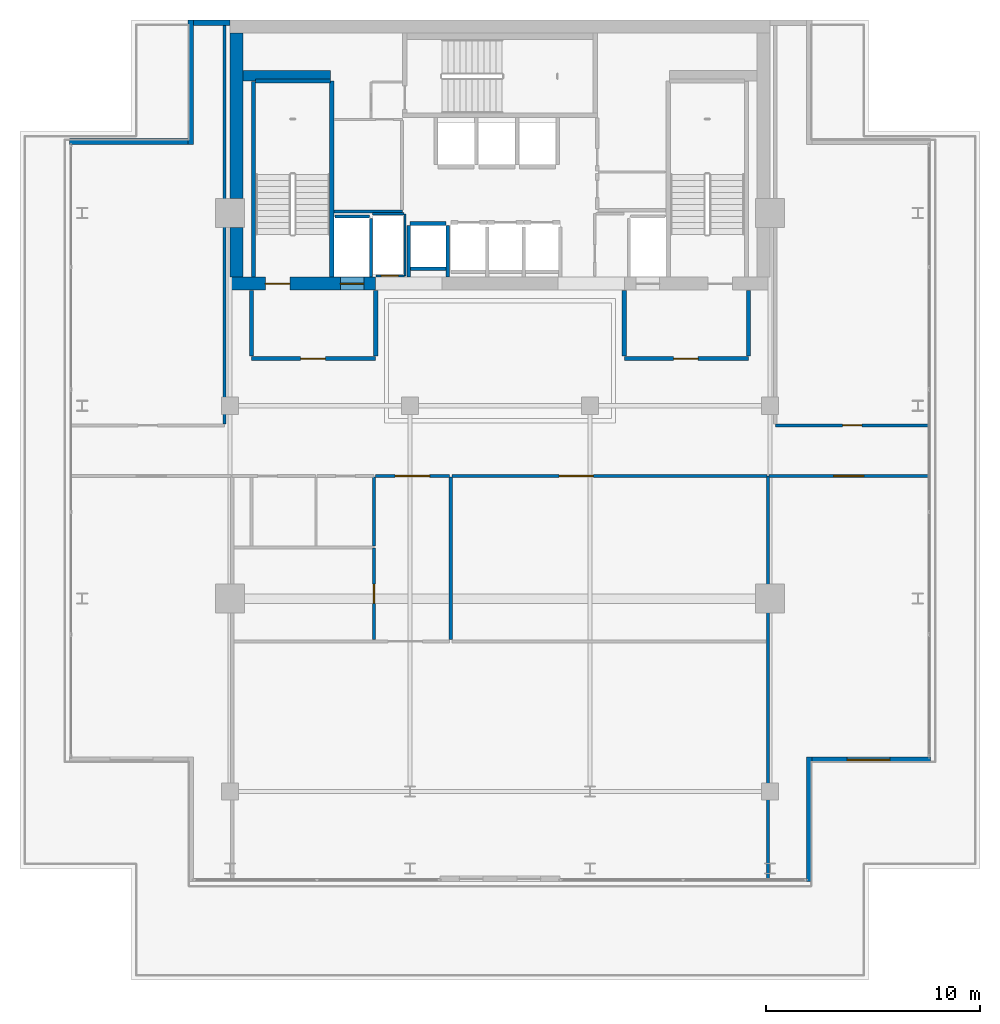
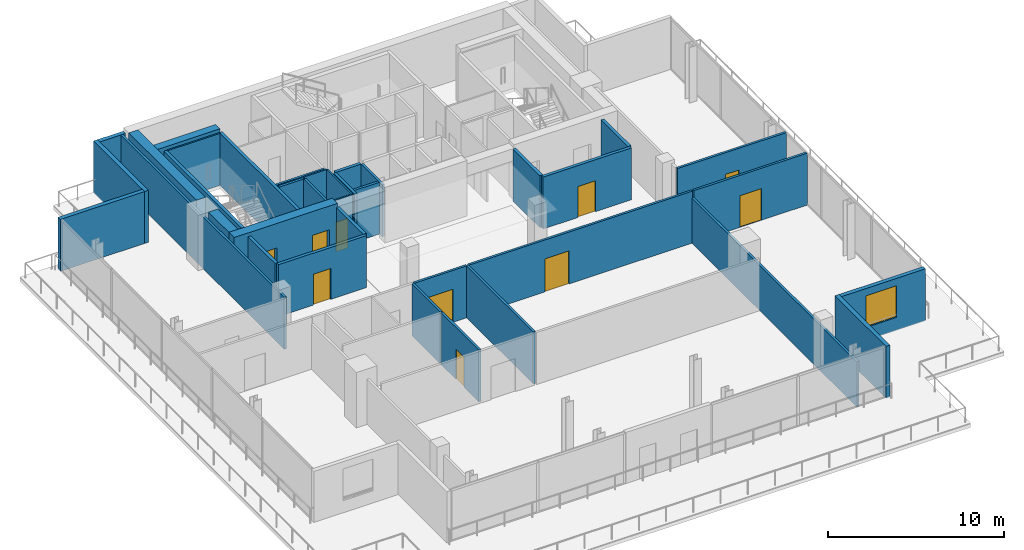
# One storey, part 16 of 21: 37 walls, 10 doors, 1 window, 11 openings.
"""IFC4 building model written with IfcOpenShell, lengths in metres."""

import ifcopenshell
import ifcopenshell.guid

model = None  # the IFC model being written
_history = None  # IfcOwnerHistory: only IFC2X3 demands one
_inside = {}  # id of a spatial element -> (the spatial element, [elements in it])
_under = {}  # id of a project, library or spatial element -> (it, [spatial elements below it])
_declared = {}  # id of a project -> (the project, [libraries it declares])
_typed = {}  # id of a type object -> (the type object, [elements of that type])
_made_of = {}  # id of a material, layer set ... -> (it, [elements and type objects made of it])


def new_model(schema):
    """Start an empty IFC model of exactly this schema.

    Asked for "IFC4X3", IfcOpenShell would pick the latest addendum, in which some entities
    have other attributes; the version numbers below select the first issue.
    IFC2X3 requires an IfcOwnerHistory on every rooted entity: one is made here for all.
    """
    global model, _history
    if schema == "IFC4X3":
        model = ifcopenshell.file(schema_version=(4, 3, 0, 0))
    else:
        model = ifcopenshell.file(schema=schema)
    _inside.clear()
    _under.clear()
    _declared.clear()
    _typed.clear()
    _made_of.clear()
    _history = None
    if model.schema == "IFC2X3":
        org = make("IfcOrganization", Name="unknown")
        user = make(
            "IfcPersonAndOrganization",
            ThePerson=make("IfcPerson", FamilyName="unknown"),
            TheOrganization=org,
        )
        app = make(
            "IfcApplication",
            ApplicationDeveloper=org,
            Version="unknown",
            ApplicationFullName="unknown",
            ApplicationIdentifier="unknown",
        )
        _history = make(
            "IfcOwnerHistory",
            OwningUser=user,
            OwningApplication=app,
            ChangeAction="ADDED",
            CreationDate=0,
        )
    return model


def make(cls, **values):
    """One entity of the class cls with the attributes given. An attribute that is None is left unset."""
    return model.create_entity(
        cls, **{name: value for name, value in values.items() if value is not None}
    )


def rooted(cls, **values):
    """An entity with a GlobalId (a new one), such as an element, a storey or a relation."""
    return make(cls, GlobalId=ifcopenshell.guid.new(), OwnerHistory=_history, **values)


def si_unit(unit_type, name, prefix=None):
    """IfcSIUnit, for example si_unit("LENGTHUNIT", "METRE", prefix="MILLI")."""
    return make("IfcSIUnit", UnitType=unit_type, Prefix=prefix, Name=name)


def assignment(units):
    """IfcUnitAssignment: the units of a project."""
    return None if units is None else make("IfcUnitAssignment", Units=units)


def point(xyz):
    """IfcCartesianPoint."""
    return None if xyz is None else make("IfcCartesianPoint", Coordinates=xyz)


def direction(xyz):
    """IfcDirection."""
    return None if xyz is None else make("IfcDirection", DirectionRatios=xyz)


def frame(location, z_axis=None, x_axis=None):
    """IfcAxis2Placement3D, a coordinate frame: its origin and axes. An axis left out is left unset."""
    return make(
        "IfcAxis2Placement3D",
        Location=point(location),
        Axis=direction(z_axis),
        RefDirection=direction(x_axis),
    )


def frame_2d(location, x_axis=None):
    """IfcAxis2Placement2D, a coordinate frame in the plane: its origin and x axis."""
    return make(
        "IfcAxis2Placement2D", Location=point(location), RefDirection=direction(x_axis)
    )


def origin():
    """The frame at (0, 0, 0) with its axes left unset."""
    return frame((0.0, 0.0, 0.0))


def place(relative_to, where):
    """IfcLocalPlacement: puts the frame where relative to a parent placement (None: the world)."""
    return make(
        "IfcLocalPlacement", PlacementRelTo=relative_to, RelativePlacement=where
    )


def context(
    kind, dimensions, precision=None, world=None, true_north=None, identifier=None
):
    """IfcGeometricRepresentationContext, for example the 3D "Model" context."""
    return make(
        "IfcGeometricRepresentationContext",
        ContextIdentifier=identifier,
        ContextType=kind,
        CoordinateSpaceDimension=dimensions,
        Precision=precision,
        WorldCoordinateSystem=world,
        TrueNorth=true_north,
    )


def subcontext(parent, identifier, kind, view, scale=None):
    """IfcGeometricRepresentationSubContext, for example "Body" below "Model"."""
    return make(
        "IfcGeometricRepresentationSubContext",
        ContextIdentifier=identifier,
        ContextType=kind,
        ParentContext=parent,
        TargetScale=scale,
        TargetView=view,
    )


def project(units=None, contexts=None):
    """IfcProject with its units and contexts."""
    return rooted(
        "IfcProject",
        Name="project",
        RepresentationContexts=contexts,
        UnitsInContext=assignment(units),
    )


def spatial(cls, under=None, at=None, **own):
    """A site, building, storey or space (cls), placed at a placement, below another one or the project."""
    s = rooted(cls, ObjectPlacement=at, **own)
    if under is not None:
        _under.setdefault(under.id(), (under, []))[1].append(s)
    return s


def profile(cls, at=None, kind="AREA", **sizes):
    """A parametric profile (cls). Its sizes go by their IFC names, for example OverallWidth=200.0."""
    return make(cls, ProfileType=kind, Position=at, **sizes)


def rectangle(**sizes):
    """IfcRectangleProfileDef."""
    return profile("IfcRectangleProfileDef", **sizes)


def extrude(swept, where, along, depth):
    """IfcExtrudedAreaSolid: the profile swept, set in the frame where, extruded along a direction by depth."""
    return make(
        "IfcExtrudedAreaSolid",
        SweptArea=swept,
        Position=where,
        ExtrudedDirection=direction(along),
        Depth=depth,
    )


def shape(context_of_items, identifier, shape_type, items):
    """IfcShapeRepresentation: the items that make up one representation, for example the "Body"."""
    return make(
        "IfcShapeRepresentation",
        ContextOfItems=context_of_items,
        RepresentationIdentifier=identifier,
        RepresentationType=shape_type,
        Items=items,
    )


def material(Name=None, Category=None):
    """IfcMaterial."""
    return make("IfcMaterial", Name=Name, Category=Category)


def layer(
    of_material, thickness, ventilated=None, Name=None, Category=None, Priority=None
):
    """IfcMaterialLayer: one layer of a wall or slab, of a material (None: an air gap)."""
    return make(
        "IfcMaterialLayer",
        Material=of_material,
        LayerThickness=thickness,
        IsVentilated=ventilated,
        Name=Name,
        Category=Category,
        Priority=Priority,
    )


def layer_set(layers, Name=None):
    """IfcMaterialLayerSet."""
    return make("IfcMaterialLayerSet", MaterialLayers=layers, LayerSetName=Name)


def made_of(thing, what):
    """Note that an element or type object is made of a material, layer set ...; save() writes the relation."""
    if what is not None:
        _made_of.setdefault(what.id(), (what, []))[1].append(thing)
    return thing


def type_object(cls, material=None, **own):
    """A type object (cls), such as IfcWallType, which elements share."""
    return made_of(rooted(cls, **own), material)


def element(
    cls,
    number,
    at=None,
    inside=None,
    cuts=None,
    type_object=None,
    material=None,
    context=None,
    identifier="Body",
    shape_type=None,
    held_by="IfcProductDefinitionShape",
    body=None,
    shapes=None,
    **own,
):
    """One element of the class cls, such as IfcWall. Its Tag is "e" and its number.

    at: its placement. inside: the storey or other place that contains it. cuts: it is an
    opening in that element (IfcRelVoidsElement). A single representation is given by context,
    identifier, shape_type and body (its items); several are given by shapes. held_by: the class
    of the entity that holds the representations. save() writes the other relations.
    """
    e = rooted(cls, Tag="e%d" % number, ObjectPlacement=at, **own)
    if body is not None:
        shapes = [shape(context, identifier, shape_type, body)]
    if shapes is not None:
        e.Representation = make(held_by, Representations=shapes)
    if inside is not None:
        _inside.setdefault(inside.id(), (inside, []))[1].append(e)
    if cuts is not None:
        rooted(
            "IfcRelVoidsElement", RelatingBuildingElement=cuts, RelatedOpeningElement=e
        )
    if type_object is not None:
        _typed.setdefault(type_object.id(), (type_object, []))[1].append(e)
    return made_of(e, material)


def fill(opening, filler):
    """IfcRelFillsElement: the door or window that sits in an opening."""
    return rooted(
        "IfcRelFillsElement",
        RelatingOpeningElement=opening,
        RelatedBuildingElement=filler,
    )


def aggregate(whole, parts):
    """IfcRelAggregates: a whole, such as a stair, and the parts it consists of."""
    return rooted("IfcRelAggregates", RelatingObject=whole, RelatedObjects=parts)


def save(model, path):
    """Write the relations noted so far, then the file.

    IfcRelAggregates (storeys below a building ...), IfcRelContainedInSpatialStructure (elements
    in a storey), IfcRelDefinesByType, IfcRelAssociatesMaterial and IfcRelDeclares: one each for
    every whole, place, type object, material and project.
    """
    for whole, parts in _under.values():
        aggregate(whole, parts)
    for where, things in _inside.values():
        rooted(
            "IfcRelContainedInSpatialStructure",
            RelatedElements=things,
            RelatingStructure=where,
        )
    for kind, things in _typed.values():
        rooted("IfcRelDefinesByType", RelatedObjects=things, RelatingType=kind)
    for what, things in _made_of.values():
        rooted("IfcRelAssociatesMaterial", RelatedObjects=things, RelatingMaterial=what)
    for by, libraries in _declared.values():
        rooted("IfcRelDeclares", RelatingContext=by, RelatedDefinitions=libraries)
    model.write(path)


model = new_model("IFC4")

# Units and contexts
model_context = context("Model", 3, precision=1e-05, world=origin(), true_north=direction((0.0, 1.0)))
body_context = subcontext(model_context, "Body", "Model", "MODEL_VIEW")
ifc_project = project(units=[si_unit("LENGTHUNIT", "METRE"), si_unit("AREAUNIT", "SQUARE_METRE"), si_unit("VOLUMEUNIT", "CUBIC_METRE"), si_unit("PLANEANGLEUNIT", "RADIAN"), si_unit("MASSUNIT", "GRAM", prefix="KILO")], contexts=[model_context])

# Site, building, storey
site_placement = place(None, origin())
site = spatial("IfcSite", under=ifc_project, at=site_placement, CompositionType="ELEMENT")
building_placement = place(site_placement, origin())
building = spatial("IfcBuilding", under=site, at=building_placement, Name="Maruvema Waterfront Hotel and Observation Tower", CompositionType="ELEMENT")
storey_placement = place(building_placement, frame((0.0, 0.0, 322.0)))
storey = spatial("IfcBuildingStorey", under=building, at=storey_placement, Name="L79", CompositionType="ELEMENT", Elevation=322.0)

# Walls
ifc_material_1 = material(Name="Twin-stud acoustic gypsum drywall", Category="gypsum")
ifc_layer_1 = layer(ifc_material_1, 0.14990234375, Name="Acoustic Corridor and Suite Demising Wall 150 mm")
ifc_layer_set_1 = layer_set([ifc_layer_1], Name="Twin-stud acoustic gypsum drywall")
wall_type_1 = type_object("IfcWallType", Name="Acoustic Corridor and Suite Demising Wall 150 mm", PredefinedType="PARTITIONING", material=ifc_layer_set_1)
wall_1_placement = place(storey_placement, frame((30.06005859375, 45.06005859375, 0.0), z_axis=(0.0, 0.0, 1.0), x_axis=(1.0, 0.0, 0.0)))
element("IfcWall", 1, at=wall_1_placement, inside=storey, type_object=wall_type_1, Name="L79 Freed B1 South Wall 012", PredefinedType="PARTITIONING", context=body_context, shape_type="SweptSolid", body=[
    extrude(rectangle(XDim=3.179931640625, YDim=0.14990234375, at=frame_2d((1.58984375, 0.0))), origin(), (0.0, 0.0, 1.0), 3.610107421875),
])
wall_2_placement = place(storey_placement, frame((31.919921875, 29.4599609375, 0.0), z_axis=(0.0, 0.0, 1.0), x_axis=(0.0, 1.0, 0.0)))
element("IfcWall", 2, at=wall_2_placement, inside=storey, type_object=wall_type_1, Name="L79 L79 WC East 026", PredefinedType="PARTITIONING", context=body_context, shape_type="SweptSolid", body=[
    extrude(rectangle(XDim=3.219970703125, YDim=0.14990234375, at=frame_2d((1.60986328125, 0.0))), origin(), (0.0, 0.0, 1.0), 3.610107421875),
])
wall_3_placement = place(storey_placement, frame((35.5, 25.080078125, 0.0), z_axis=(0.0, 0.0, 1.0), x_axis=(0.0, 1.0, 0.0)))
element("IfcWall", 3, at=wall_3_placement, inside=storey, type_object=wall_type_1, Name="L79 L79 Vestibule East Wall 029", PredefinedType="PARTITIONING", context=body_context, shape_type="SweptSolid", body=[
    extrude(rectangle(XDim=7.599853515625, YDim=0.14990234375, at=frame_2d((3.7998046875, 0.0))), origin(), (0.0, 0.0, 1.0), 3.610107421875),
])

# Wall, opening, door
wall_4_placement = place(storey_placement, frame((31.919921875, 25.080078125, 0.0), z_axis=(0.0, 0.0, 1.0), x_axis=(0.0, 1.0, 0.0)))
wall_4 = element("IfcWall", 4, at=wall_4_placement, inside=storey, type_object=wall_type_1, Name="L79 L79 Valet East Wall 030", PredefinedType="PARTITIONING", context=body_context, shape_type="SweptSolid", body=[
    extrude(rectangle(XDim=4.280029296875, YDim=0.14990234375, at=frame_2d((2.14013671875, 0.0))), origin(), (0.0, 0.0, 1.0), 3.610107421875),
])
opening_1_placement = place(wall_4_placement, frame((1.68994140625, 0.0, 0.0)))
opening_1 = element("IfcOpeningElement", 5, at=opening_1_placement, cuts=wall_4, Name="Opening DR-090", PredefinedType="OPENING", context=body_context, shape_type="SweptSolid", body=[
    extrude(rectangle(XDim=0.89990234375, YDim=2.10009765625, at=frame_2d((0.449951171875, 1.050048828125))), frame((0.0, 0.0849609375, 0.0), z_axis=(0.0, -1.0, 0.0), x_axis=(1.0, 0.0, 0.0)), (0.0, 0.0, 1.0), 0.169921875),
])
ifc_material_2 = material(Name="Solid-core lacquered timber leaf", Category="wood")
door_type_1 = type_object("IfcDoorType", Name="Accessible Toilet and Room Door 900x2100 mm", OperationType="NOTDEFINED", PredefinedType="DOOR", material=ifc_material_2)
door_1_placement = place(opening_1_placement, origin())
door_1 = element("IfcDoor", 6, at=door_1_placement, inside=storey, type_object=door_type_1, Name="L79 L79 Valet Room Door", OperationType="SINGLE_SWING_RIGHT", OverallHeight=2.10009765625, OverallWidth=0.89990234375, PredefinedType="DOOR", context=body_context, shape_type="SweptSolid", body=[
    extrude(rectangle(XDim=0.89990234375, YDim=2.10009765625, at=frame_2d((0.449951171875, 1.050048828125))), frame((0.0, 0.02490234375, 0.0), z_axis=(0.0, -1.0, 0.0), x_axis=(1.0, 0.0, 0.0)), (0.0, 0.0, 1.0), 0.050048828125),
])
fill(opening_1, door_1)

wall_5_placement = place(storey_placement, frame((31.97998046875, 32.719970703125, 0.0), z_axis=(0.0, 0.0, 1.0), x_axis=(1.0, 0.0, 0.0)))
wall_5 = element("IfcWall", 7, at=wall_5_placement, inside=storey, type_object=wall_type_1, Name="L79 L79 Vestibule North 031", PredefinedType="PARTITIONING", context=body_context, shape_type="SweptSolid", body=[
    extrude(rectangle(XDim=3.4599609375, YDim=0.14990234375, at=frame_2d((1.72998046875, 0.0))), origin(), (0.0, 0.0, 1.0), 3.610107421875),
])
opening_2_placement = place(wall_5_placement, frame((0.929931640625, 0.0, 0.0)))
opening_2 = element("IfcOpeningElement", 8, at=opening_2_placement, cuts=wall_5, Name="Opening DR-160", PredefinedType="OPENING", context=body_context, shape_type="SweptSolid", body=[
    extrude(rectangle(XDim=1.60009765625, YDim=2.300048828125, at=frame_2d((0.800048828125, 1.14990234375))), frame((0.0, 0.0849609375, 0.0), z_axis=(0.0, -1.0, 0.0), x_axis=(1.0, 0.0, 0.0)), (0.0, 0.0, 1.0), 0.169921875),
])
ifc_material_3 = material(Name="Acoustic veneered hardwood double leaf", Category="wood")
door_type_2 = type_object("IfcDoorType", Name="Ballroom and Lounge Double Door 1600x2300 mm", OperationType="DOUBLE_DOOR_SINGLE_SWING", PredefinedType="DOOR", material=ifc_material_3)
door_2_placement = place(opening_2_placement, origin())
door_2 = element("IfcDoor", 9, at=door_2_placement, inside=storey, type_object=door_type_2, Name="L79 L79 Sky Vestibule Door", OperationType="DOUBLE_DOOR_SINGLE_SWING", OverallHeight=2.300048828125, OverallWidth=1.60009765625, PredefinedType="DOOR", context=body_context, shape_type="SweptSolid", body=[
    extrude(rectangle(XDim=1.60009765625, YDim=2.300048828125, at=frame_2d((0.800048828125, 1.14990234375))), frame((0.0, 0.02490234375, 0.0), z_axis=(0.0, -1.0, 0.0), x_axis=(1.0, 0.0, 0.0)), (0.0, 0.0, 1.0), 0.050048828125),
])
fill(opening_2, door_2)

wall_6_placement = place(storey_placement, frame((35.56005859375, 32.719970703125, 0.0), z_axis=(0.0, 0.0, 1.0), x_axis=(1.0, 0.0, 0.0)))
wall_6 = element("IfcWall", 10, at=wall_6_placement, inside=storey, type_object=wall_type_1, Name="L79 L79 Concierge North 032", PredefinedType="PARTITIONING", context=body_context, shape_type="SweptSolid", body=[
    extrude(rectangle(XDim=14.68994140625, YDim=0.14990234375, at=frame_2d((7.344970703125, 0.0))), origin(), (0.0, 0.0, 1.0), 3.610107421875),
])
opening_3_placement = place(wall_6_placement, frame((5.0, 0.0, 0.0)))
opening_3 = element("IfcOpeningElement", 11, at=opening_3_placement, cuts=wall_6, Name="Opening DR-160", PredefinedType="OPENING", context=body_context, shape_type="SweptSolid", body=[
    extrude(rectangle(XDim=1.60009765625, YDim=2.300048828125, at=frame_2d((0.800048828125, 1.14990234375))), frame((0.0, 0.0849609375, 0.0), z_axis=(0.0, -1.0, 0.0), x_axis=(1.0, 0.0, 0.0)), (0.0, 0.0, 1.0), 0.169921875),
])
door_3_placement = place(opening_3_placement, origin())
door_3 = element("IfcDoor", 12, at=door_3_placement, inside=storey, type_object=door_type_2, Name="L79 L79 Concierge Door", OperationType="DOUBLE_DOOR_SINGLE_SWING", OverallHeight=2.300048828125, OverallWidth=1.60009765625, PredefinedType="DOOR", context=body_context, shape_type="SweptSolid", body=[
    extrude(rectangle(XDim=1.60009765625, YDim=2.300048828125, at=frame_2d((0.800048828125, 1.14990234375))), frame((0.0, 0.02490234375, 0.0), z_axis=(0.0, -1.0, 0.0), x_axis=(1.0, 0.0, 0.0)), (0.0, 0.0, 1.0), 0.050048828125),
])
fill(opening_3, door_3)

wall_7_placement = place(storey_placement, frame((50.35009765625, 32.719970703125, 0.0), z_axis=(0.0, 0.0, 1.0), x_axis=(1.0, 0.0, 0.0)))
wall_7 = element("IfcWall", 13, at=wall_7_placement, inside=storey, type_object=wall_type_1, Name="L79 L79 Club North 034", PredefinedType="PARTITIONING", context=body_context, shape_type="SweptSolid", body=[
    extrude(rectangle(XDim=7.469970703125, YDim=0.14990234375, at=frame_2d((3.73486328125, 0.0))), origin(), (0.0, 0.0, 1.0), 3.610107421875),
])
opening_4_placement = place(wall_7_placement, frame((3.034912109375, 0.0, 0.0)))
opening_4 = element("IfcOpeningElement", 14, at=opening_4_placement, cuts=wall_7, Name="Opening DR-140", PredefinedType="OPENING", context=body_context, shape_type="SweptSolid", body=[
    extrude(rectangle(XDim=1.39990234375, YDim=2.199951171875, at=frame_2d((0.699951171875, 1.10009765625))), frame((0.0, 0.0849609375, 0.0), z_axis=(0.0, -1.0, 0.0), x_axis=(1.0, 0.0, 0.0)), (0.0, 0.0, 1.0), 0.169921875),
])
ifc_material_4 = material(Name="Anodised bronze framed acoustic glass leaf", Category="glass")
door_type_3 = type_object("IfcDoorType", Name="Conference and Restaurant Double Door 1400x2200 mm", OperationType="DOUBLE_DOOR_SINGLE_SWING", PredefinedType="DOOR", material=ifc_material_4)
door_4_placement = place(opening_4_placement, origin())
door_4 = element("IfcDoor", 15, at=door_4_placement, inside=storey, type_object=door_type_3, Name="L79 L79 Club Lounge Door", OperationType="DOUBLE_DOOR_SINGLE_SWING", OverallHeight=2.199951171875, OverallWidth=1.39990234375, PredefinedType="DOOR", context=body_context, shape_type="SweptSolid", body=[
    extrude(rectangle(XDim=1.39990234375, YDim=2.199951171875, at=frame_2d((0.699951171875, 1.10009765625))), frame((0.0, 0.02490234375, 0.0), z_axis=(0.0, -1.0, 0.0), x_axis=(1.0, 0.0, 0.0)), (0.0, 0.0, 1.0), 0.050048828125),
])
fill(opening_4, door_4)

# Walls
wall_8_placement = place(storey_placement, frame((50.300048828125, 13.8798828125, 0.0), z_axis=(0.0, 0.0, 1.0), x_axis=(0.0, 1.0, 0.0)))
element("IfcWall", 16, at=wall_8_placement, inside=storey, type_object=wall_type_1, Name="L79 L79 East Spine 036", PredefinedType="PARTITIONING", context=body_context, shape_type="SweptSolid", body=[
    extrude(rectangle(XDim=18.840087890625, YDim=0.14990234375, at=frame_2d((9.419921875, 0.0))), origin(), (0.0, 0.0, 1.0), 3.14111328125),
])
wall_9_placement = place(storey_placement, frame((24.949951171875, 35.139892578125, 0.0), z_axis=(0.0, 0.0, 1.0), x_axis=(0.0, 1.0, 0.0)))
element("IfcWall", 17, at=wall_9_placement, inside=storey, type_object=wall_type_1, Name="L79 L79 VIP East 038", PredefinedType="PARTITIONING", context=body_context, shape_type="SweptSolid", body=[
    extrude(rectangle(XDim=18.780029296875, YDim=0.14990234375, at=frame_2d((9.39013671875, 0.0))), origin(), (0.0, 0.0, 1.0), 3.610107421875),
])

# Wall, opening, door
wall_10_placement = place(storey_placement, frame((50.64990234375, 35.080078125, 0.0), z_axis=(0.0, 0.0, 1.0), x_axis=(1.0, 0.0, 0.0)))
wall_10 = element("IfcWall", 18, at=wall_10_placement, inside=storey, type_object=wall_type_1, Name="L79 L79 Pastry Wall 039", PredefinedType="PARTITIONING", context=body_context, shape_type="SweptSolid", body=[
    extrude(rectangle(XDim=7.170166015625, YDim=0.14990234375, at=frame_2d((3.5849609375, 0.0))), origin(), (0.0, 0.0, 1.0), 3.610107421875),
])
opening_5_placement = place(wall_10_placement, frame((3.135009765625, 0.0, 0.0)))
opening_5 = element("IfcOpeningElement", 19, at=opening_5_placement, cuts=wall_10, Name="Opening DR-090", PredefinedType="OPENING", context=body_context, shape_type="SweptSolid", body=[
    extrude(rectangle(XDim=0.89990234375, YDim=2.10009765625, at=frame_2d((0.449951171875, 1.050048828125))), frame((0.0, 0.0849609375, 0.0), z_axis=(0.0, -1.0, 0.0), x_axis=(1.0, 0.0, 0.0)), (0.0, 0.0, 1.0), 0.169921875),
])
door_5_placement = place(opening_5_placement, frame((0.89990234375, 0.0, 0.0), z_axis=(0.0, 0.0, 1.0), x_axis=(-1.0, 0.0, 0.0)))
door_5 = element("IfcDoor", 20, at=door_5_placement, inside=storey, type_object=door_type_1, Name="L79 Pastry Kitchen Door", OperationType="SINGLE_SWING_RIGHT", OverallHeight=2.10009765625, OverallWidth=0.89990234375, PredefinedType="DOOR", context=body_context, shape_type="SweptSolid", body=[
    extrude(rectangle(XDim=0.89990234375, YDim=2.10009765625, at=frame_2d((0.449951171875, 1.050048828125))), frame((0.0, 0.02490234375, 0.0), z_axis=(0.0, -1.0, 0.0), x_axis=(1.0, 0.0, 0.0)), (0.0, 0.0, 1.0), 0.050048828125),
])
fill(opening_5, door_5)

# Walls
ifc_material_5 = material(Name="Precast concrete C45/55", Category="concrete")
ifc_layer_2 = layer(ifc_material_5, 0.199951171875, Name="Core Shaft and Stairwell Enclosure Wall 200 mm")
ifc_layer_set_2 = layer_set([ifc_layer_2], Name="Precast concrete C45/55")
wall_type_2 = type_object("IfcWallType", Name="Core Shaft and Stairwell Enclosure Wall 200 mm", PredefinedType="SOLIDWALL", material=ifc_layer_set_2)
wall_11_placement = place(storey_placement, frame((29.949951171875, 42.0, 0.0), z_axis=(0.0, 0.0, 1.0), x_axis=(0.0, 1.0, 0.0)))
element("IfcWall", 21, at=wall_11_placement, inside=storey, type_object=wall_type_2, Name="L79 Stairwell ST-01 East Shaft Wall", PredefinedType="SOLIDWALL", context=body_context, shape_type="SweptSolid", body=[
    extrude(rectangle(XDim=9.14990234375, YDim=0.199951171875, at=frame_2d((4.574951171875, 0.0))), origin(), (0.0, 0.0, 1.0), 3.610107421875),
])
wall_12_placement = place(storey_placement, frame((26.300048828125, 42.0, 0.0), z_axis=(0.0, 0.0, 1.0), x_axis=(0.0, 1.0, 0.0)))
element("IfcWall", 22, at=wall_12_placement, inside=storey, type_object=wall_type_2, Name="L79 Stairwell ST-01 Shaft Lining Wall", PredefinedType="SOLIDWALL", context=body_context, shape_type="SweptSolid", body=[
    extrude(rectangle(XDim=9.1201171875, YDim=0.199951171875, at=frame_2d((4.56005859375, 0.0))), origin(), (0.0, 0.0, 1.0), 3.610107421875),
])
wall_13_placement = place(storey_placement, frame((26.3798828125, 51.14990234375, 0.0), z_axis=(0.0, 0.0, 1.0), x_axis=(1.0, 0.0, 0.0)))
element("IfcWall", 23, at=wall_13_placement, inside=storey, type_object=wall_type_2, Name="L79 Stairwell ST-01 Shaft Lining Wall", PredefinedType="SOLIDWALL", context=body_context, shape_type="SweptSolid", body=[
    extrude(rectangle(XDim=3.5, YDim=0.199951171875, at=frame_2d((1.75, 0.0))), origin(), (0.0, 0.0, 1.0), 3.610107421875),
])
wall_14_placement = place(storey_placement, frame((33.610107421875, 44.5, 0.0), z_axis=(0.0, 0.0, 1.0), x_axis=(1.0, 0.0, 0.0)))
element("IfcWall", 24, at=wall_14_placement, inside=storey, type_object=wall_type_2, Name="L79 Lift LF-15 Hoistway Front Wall", PredefinedType="SOLIDWALL", context=body_context, shape_type="SweptSolid", body=[
    extrude(rectangle(XDim=1.679931640625, YDim=0.199951171875, at=frame_2d((0.83984375, 0.0))), origin(), (0.0, 0.0, 1.0), 3.610107421875),
])
ifc_material_6 = material(Name="Concrete C70/85", Category="concrete")
ifc_layer_3 = layer(ifc_material_6, 0.5, Name="Core Shear Wall 500 mm")
ifc_layer_set_3 = layer_set([ifc_layer_3], Name="Concrete C70/85")
wall_type_3 = type_object("IfcWallType", Name="Core Shear Wall 500 mm", PredefinedType="SHEAR", material=ifc_layer_set_3)
wall_15_placement = place(storey_placement, frame((25.800048828125, 51.39990234375, 0.0), z_axis=(0.0, 0.0, 1.0), x_axis=(1.0, 0.0, 0.0)))
element("IfcWall", 25, at=wall_15_placement, inside=storey, type_object=wall_type_3, Name="L79 Internal Core Shear Wall NW 500 mm", PredefinedType="SHEAR", context=body_context, shape_type="SweptSolid", body=[
    extrude(rectangle(XDim=4.099853515625, YDim=0.5, at=frame_2d((2.0498046875, 0.0))), origin(), (0.0, 0.0, 1.0), 3.85009765625),
])

# Wall, openings, doors
ifc_material_7 = material(Name="Concrete C60/75", Category="concrete")
ifc_layer_4 = layer(ifc_material_7, 0.60009765625, Name="Core Shear Wall 600 mm")
ifc_layer_set_4 = layer_set([ifc_layer_4], Name="Concrete C60/75")
wall_type_4 = type_object("IfcWallType", Name="Core Shear Wall 600 mm", PredefinedType="SHEAR", material=ifc_layer_set_4)
wall_16_placement = place(storey_placement, frame((25.199951171875, 41.699951171875, 0.0), z_axis=(0.0, 0.0, 1.0), x_axis=(1.0, 0.0, 0.0)))
wall_16 = element("IfcWall", 26, at=wall_16_placement, inside=storey, type_object=wall_type_4, Name="L79 South-West Core Shear Wall", PredefinedType="SHEAR", context=body_context, shape_type="SweptSolid", body=[
    extrude(rectangle(XDim=6.800048828125, YDim=0.60009765625, at=frame_2d((3.39990234375, 0.0))), origin(), (0.0, 0.0, 1.0), 3.85009765625),
])
opening_6_placement = place(wall_16_placement, frame((1.64990234375, 0.0, 0.0)))
opening_6 = element("IfcOpeningElement", 27, at=opening_6_placement, cuts=wall_16, Name="Opening SD-01", PredefinedType="OPENING", context=body_context, shape_type="SweptSolid", body=[
    extrude(rectangle(XDim=1.14990234375, YDim=2.14990234375, at=frame_2d((0.574951171875, 1.074951171875))), frame((0.0, 0.31005859375, 0.0), z_axis=(0.0, -1.0, 0.0), x_axis=(1.0, 0.0, 0.0)), (0.0, 0.0, 1.0), 0.6201171875),
])
opening_7_placement = place(wall_16_placement, frame((5.14990234375, 0.0, 0.0)))
opening_7 = element("IfcOpeningElement", 28, at=opening_7_placement, cuts=wall_16, Name="Opening LD-03", PredefinedType="OPENING", context=body_context, shape_type="SweptSolid", body=[
    extrude(rectangle(XDim=1.10009765625, YDim=2.199951171875, at=frame_2d((0.550048828125, 1.10009765625))), frame((0.0, 0.31005859375, 0.0), z_axis=(0.0, -1.0, 0.0), x_axis=(1.0, 0.0, 0.0)), (0.0, 0.0, 1.0), 0.6201171875),
])
ifc_material_8 = material(Name="Fire-rated galvanised steel leaf", Category="steel")
door_type_4 = type_object("IfcDoorType", Name="Exit Stair Fire Door 1150x2150 mm", OperationType="NOTDEFINED", PredefinedType="DOOR", material=ifc_material_8)
door_6_placement = place(opening_6_placement, origin())
door_6 = element("IfcDoor", 29, at=door_6_placement, inside=storey, type_object=door_type_4, Name="L79 Exit Stair ST-01 Fire Door", OperationType="SINGLE_SWING_LEFT", OverallHeight=2.14990234375, OverallWidth=1.14990234375, PredefinedType="DOOR", context=body_context, shape_type="SweptSolid", body=[
    extrude(rectangle(XDim=1.14990234375, YDim=2.14990234375, at=frame_2d((0.574951171875, 1.074951171875))), frame((0.0, 0.02490234375, 0.0), z_axis=(0.0, -1.0, 0.0), x_axis=(1.0, 0.0, 0.0)), (0.0, 0.0, 1.0), 0.050048828125),
])
fill(opening_6, door_6)
ifc_material_9 = material(Name="Brushed stainless steel Grade 316", Category="steel")
door_type_5 = type_object("IfcDoorType", Name="Firefighting Lift Sliding Landing Door 1100x2200 mm", OperationType="SLIDING_TO_LEFT", PredefinedType="DOOR", material=ifc_material_9)
door_7_placement = place(opening_7_placement, frame((1.10009765625, 0.0, 0.0), z_axis=(0.0, 0.0, 1.0), x_axis=(-1.0, 0.0, 0.0)))
door_7 = element("IfcDoor", 30, at=door_7_placement, inside=storey, type_object=door_type_5, Name="L79 Firefighting Lift FL-01 Landing Door", OperationType="SLIDING_TO_LEFT", OverallHeight=2.199951171875, OverallWidth=1.10009765625, PredefinedType="DOOR", context=body_context, shape_type="SweptSolid", body=[
    extrude(rectangle(XDim=1.10009765625, YDim=2.199951171875, at=frame_2d((0.550048828125, 1.10009765625))), frame((0.0, 0.02490234375, 0.0), z_axis=(0.0, -1.0, 0.0), x_axis=(1.0, 0.0, 0.0)), (0.0, 0.0, 1.0), 0.050048828125),
])
fill(opening_7, door_7)

# Walls
wall_17_placement = place(storey_placement, frame((25.5, 42.0, 0.0), z_axis=(0.0, 0.0, 1.0), x_axis=(0.0, 1.0, 0.0)))
element("IfcWall", 31, at=wall_17_placement, inside=storey, type_object=wall_type_4, Name="L79 West-South Core Shear Wall", PredefinedType="SHEAR", context=body_context, shape_type="SweptSolid", body=[
    extrude(rectangle(XDim=2.324951171875, YDim=0.60009765625, at=frame_2d((1.16259765625, 0.0))), origin(), (0.0, 0.0, 1.0), 3.85009765625),
])
wall_18_placement = place(storey_placement, frame((25.5, 45.675048828125, 0.0), z_axis=(0.0, 0.0, 1.0), x_axis=(0.0, 1.0, 0.0)))
element("IfcWall", 32, at=wall_18_placement, inside=storey, type_object=wall_type_4, Name="L79 West-North Core Shear Wall", PredefinedType="SHEAR", context=body_context, shape_type="SweptSolid", body=[
    extrude(rectangle(XDim=7.724853515625, YDim=0.60009765625, at=frame_2d((3.8623046875, 0.0))), origin(), (0.0, 0.0, 1.0), 3.85009765625),
])

# Wall, opening, door
ifc_material_10 = material(Name="Moisture-resistant cement-board drywall", Category="gypsum")
ifc_layer_5 = layer(ifc_material_10, 0.10009765625, Name="En-Suite Moisture-Resistant Partition 100 mm")
ifc_layer_set_5 = layer_set([ifc_layer_5], Name="Moisture-resistant cement-board drywall")
wall_type_5 = type_object("IfcWallType", Name="En-Suite Moisture-Resistant Partition 100 mm", PredefinedType="PARTITIONING", material=ifc_layer_set_5)
wall_19_placement = place(storey_placement, frame((32.02001953125, 42.06005859375, 0.0), z_axis=(0.0, 0.0, 1.0), x_axis=(1.0, 0.0, 0.0)))
wall_19 = element("IfcWall", 33, at=wall_19_placement, inside=storey, type_object=wall_type_5, Name="L79 Telecom Riser South Wall 007", PredefinedType="PARTITIONING", context=body_context, shape_type="SweptSolid", body=[
    extrude(rectangle(XDim=1.320068359375, YDim=0.10009765625, at=frame_2d((0.66015625, 0.0))), origin(), (0.0, 0.0, 1.0), 3.610107421875),
])
opening_8_placement = place(wall_19_placement, frame((0.239990234375, 0.0, 0.0)))
opening_8 = element("IfcOpeningElement", 34, at=opening_8_placement, cuts=wall_19, Name="Opening DR-080", PredefinedType="OPENING", context=body_context, shape_type="SweptSolid", body=[
    extrude(rectangle(XDim=0.800048828125, YDim=2.050048828125, at=frame_2d((0.39990234375, 1.02490234375))), frame((0.0, 0.06005859375, 0.0), z_axis=(0.0, -1.0, 0.0), x_axis=(1.0, 0.0, 0.0)), (0.0, 0.0, 1.0), 0.1201171875),
])
ifc_material_11 = material(Name="Powder-coated steel access leaf", Category="steel")
door_type_6 = type_object("IfcDoorType", Name="Riser and Service Cupboard Door 800x2050 mm", OperationType="NOTDEFINED", PredefinedType="DOOR", material=ifc_material_11)
door_8_placement = place(opening_8_placement, frame((0.800048828125, 0.0, 0.0), z_axis=(0.0, 0.0, 1.0), x_axis=(-1.0, 0.0, 0.0)))
door_8 = element("IfcDoor", 35, at=door_8_placement, inside=storey, type_object=door_type_6, Name="L79 Telecom Riser Door", OperationType="SINGLE_SWING_RIGHT", OverallHeight=2.050048828125, OverallWidth=0.800048828125, PredefinedType="DOOR", context=body_context, shape_type="SweptSolid", body=[
    extrude(rectangle(XDim=0.800048828125, YDim=2.050048828125, at=frame_2d((0.39990234375, 1.02490234375))), frame((0.0, 0.02490234375, 0.0), z_axis=(0.0, -1.0, 0.0), x_axis=(1.0, 0.0, 0.0)), (0.0, 0.0, 1.0), 0.050048828125),
])
fill(opening_8, door_8)

# Walls
wall_20_placement = place(storey_placement, frame((31.840087890625, 44.9599609375, 0.0), z_axis=(0.0, 0.0, 1.0), x_axis=(1.0, 0.0, 0.0)))
element("IfcWall", 36, at=wall_20_placement, inside=storey, type_object=wall_type_5, Name="L79 Telecom Riser North Wall 008", PredefinedType="PARTITIONING", context=body_context, shape_type="SweptSolid", body=[
    extrude(rectangle(XDim=1.47998046875, YDim=0.10009765625, at=frame_2d((0.739990234375, 0.0))), origin(), (0.0, 0.0, 1.0), 3.610107421875),
])
wall_21_placement = place(storey_placement, frame((33.360107421875, 42.06005859375, 0.0), z_axis=(0.0, 0.0, 1.0), x_axis=(0.0, 1.0, 0.0)))
element("IfcWall", 37, at=wall_21_placement, inside=storey, type_object=wall_type_5, Name="L79 Telecom Riser East Wall 009", PredefinedType="PARTITIONING", context=body_context, shape_type="SweptSolid", body=[
    extrude(rectangle(XDim=2.8798828125, YDim=0.10009765625, at=frame_2d((1.43994140625, 0.0))), origin(), (0.0, 0.0, 1.0), 3.610107421875),
])
ifc_material_12 = material(Name="Precast concrete C45/55 with honed Pernambuco granite facing", Category="masonry")
ifc_layer_6 = layer(ifc_material_12, 0.260009765625, Name="Exterior Granite Clad Spandrel and Pier Wall 260 mm")
ifc_layer_set_6 = layer_set([ifc_layer_6], Name="Precast concrete C45/55 with honed Pernambuco granite facing")
wall_type_6 = type_object("IfcWallType", Name="Exterior Granite Clad Spandrel and Pier Wall 260 mm", PredefinedType="SOLIDWALL", material=ifc_layer_set_6)
wall_22_placement = place(storey_placement, frame((52.22998046875, 19.60009765625, 0.0), z_axis=(0.0, 0.0, 1.0), x_axis=(0.0, -1.0, 0.0)))
element("IfcWall", 38, at=wall_22_placement, inside=storey, type_object=wall_type_6, Name="L79 Corner Notch Granite Pier Wall SE1", PredefinedType="SOLIDWALL", context=body_context, shape_type="SweptSolid", body=[
    extrude(rectangle(XDim=5.800048828125, YDim=0.260009765625, at=frame_2d((2.89990234375, 0.0))), origin(), (0.0, 0.0, 1.0), 3.610107421875),
])

# Wall, opening, window
wall_23_placement = place(storey_placement, frame((57.89990234375, 19.469970703125, 0.0), z_axis=(0.0, 0.0, 1.0), x_axis=(-1.0, 0.0, 0.0)))
wall_23 = element("IfcWall", 39, at=wall_23_placement, inside=storey, type_object=wall_type_6, Name="L79 Corner Notch Granite Pier Wall SE2", PredefinedType="SOLIDWALL", context=body_context, shape_type="SweptSolid", body=[
    extrude(rectangle(XDim=5.7998046875, YDim=0.260009765625, at=frame_2d((2.89990234375, 0.0))), origin(), (0.0, 0.0, 1.0), 3.610107421875),
])
opening_9_placement = place(wall_23_placement, frame((1.89990234375, 0.0, 0.89990234375)))
opening_9 = element("IfcOpeningElement", 40, at=opening_9_placement, cuts=wall_23, Name="Opening WN-03", PredefinedType="OPENING", context=body_context, shape_type="SweptSolid", body=[
    extrude(rectangle(XDim=2.0, YDim=2.199951171875, at=frame_2d((1.0, 1.10009765625))), frame((0.0, 0.14013671875, 0.0), z_axis=(0.0, -1.0, 0.0), x_axis=(1.0, 0.0, 0.0)), (0.0, 0.0, 1.0), 0.280029296875),
])
ifc_material_13 = material(Name="Anodised bronze aluminium frame with laminated low-E glass", Category="aluminium")
window_type = type_object("IfcWindowType", Name="Sky Suite Panoramic Notch Window 2000x2200 mm", PartitioningType="SINGLE_PANEL", PredefinedType="WINDOW", material=ifc_material_13)
window_placement = place(opening_9_placement, origin())
window = element("IfcWindow", 41, at=window_placement, inside=storey, type_object=window_type, Name="L79 Corner Notch Punched Window SE2", OverallHeight=2.199951171875, OverallWidth=2.0, PartitioningType="SINGLE_PANEL", PredefinedType="WINDOW", context=body_context, shape_type="SweptSolid", body=[
    extrude(rectangle(XDim=2.0, YDim=2.199951171875, at=frame_2d((1.0, 1.10009765625))), frame((0.0, 0.030029296875, 0.0), z_axis=(0.0, -1.0, 0.0), x_axis=(1.0, 0.0, 0.0)), (0.0, 0.0, 1.0), 0.06005859375),
])
fill(opening_9, window)

# Walls
for number, where, z_axis, x_axis, name in (
    (42, (23.3701171875, 48.199951171875, 0.0), (0.0, 0.0, 1.0), (0.0, 1.0, 0.0), "L79 Corner Notch Granite Pier Wall NW1"),
    (43, (17.699951171875, 48.330078125, 0.0), (0.0, 0.0, 1.0), (1.0, 0.0, 0.0), "L79 Corner Notch Granite Pier Wall NW2"),
):
    element("IfcWall", number, at=place(storey_placement, frame(where, z_axis=z_axis, x_axis=x_axis)), inside=storey, type_object=wall_type_6, Name=name, PredefinedType="SOLIDWALL", context=body_context, shape_type="SweptSolid", body=[
        extrude(rectangle(XDim=5.800048828125, YDim=0.260009765625, at=frame_2d((2.89990234375, 0.0))), origin(), (0.0, 0.0, 1.0), 3.610107421875),
    ])
wall_24_placement = place(storey_placement, frame((25.199951171875, 53.8701171875, 0.0), z_axis=(0.0, 0.0, 1.0), x_axis=(-1.0, 0.0, 0.0)))
element("IfcWall", 44, at=wall_24_placement, inside=storey, type_object=wall_type_6, Name="L79 North-West Core Flanking Pier Wall", PredefinedType="SOLIDWALL", context=body_context, shape_type="SweptSolid", body=[
    extrude(rectangle(XDim=1.699951171875, YDim=0.260009765625, at=frame_2d((0.85009765625, 0.0))), origin(), (0.0, 0.0, 1.0), 3.610107421875),
])

# Wall, opening, door
ifc_material_14 = material(Name="Autoclaved cellular concrete blockwork", Category="masonry")
ifc_layer_7 = layer(ifc_material_14, 0.199951171875, Name="Fire Compartment Masonry Wall 200 mm")
ifc_layer_set_7 = layer_set([ifc_layer_7], Name="Autoclaved cellular concrete blockwork")
wall_type_7 = type_object("IfcWallType", Name="Fire Compartment Masonry Wall 200 mm", PredefinedType="PARTITIONING", material=ifc_layer_set_7)
wall_25_placement = place(storey_placement, frame((26.199951171875, 38.199951171875, 0.0), z_axis=(0.0, 0.0, 1.0), x_axis=(1.0, 0.0, 0.0)))
wall_25 = element("IfcWall", 45, at=wall_25_placement, inside=storey, type_object=wall_type_7, Name="L79 FFL West South Wall 001", PredefinedType="PARTITIONING", context=body_context, shape_type="SweptSolid", body=[
    extrude(rectangle(XDim=5.800048828125, YDim=0.199951171875, at=frame_2d((2.89990234375, 0.0))), origin(), (0.0, 0.0, 1.0), 3.610107421875),
])
opening_10_placement = place(wall_25_placement, frame((2.300048828125, 0.0, 0.0)))
opening_10 = element("IfcOpeningElement", 46, at=opening_10_placement, cuts=wall_25, Name="Opening FD-115", PredefinedType="OPENING", context=body_context, shape_type="SweptSolid", body=[
    extrude(rectangle(XDim=1.14990234375, YDim=2.14990234375, at=frame_2d((0.574951171875, 1.074951171875))), frame((0.0, 0.10986328125, 0.0), z_axis=(0.0, -1.0, 0.0), x_axis=(1.0, 0.0, 0.0)), (0.0, 0.0, 1.0), 0.219970703125),
])
ifc_material_15 = material(Name="Fire-rated galvanised steel and vision glass", Category="steel")
door_type_7 = type_object("IfcDoorType", Name="Firefighting Lobby Fire Door 1150x2150 mm", OperationType="NOTDEFINED", PredefinedType="DOOR", material=ifc_material_15)
door_9_placement = place(opening_10_placement, frame((1.14990234375, 0.0, 0.0), z_axis=(0.0, 0.0, 1.0), x_axis=(-1.0, 0.0, 0.0)))
door_9 = element("IfcDoor", 47, at=door_9_placement, inside=storey, type_object=door_type_7, Name="L79 Firefighting Lobby West Door", OperationType="SINGLE_SWING_RIGHT", OverallHeight=2.14990234375, OverallWidth=1.14990234375, PredefinedType="DOOR", context=body_context, shape_type="SweptSolid", body=[
    extrude(rectangle(XDim=1.14990234375, YDim=2.14990234375, at=frame_2d((0.574951171875, 1.074951171875))), frame((0.0, 0.02490234375, 0.0), z_axis=(0.0, -1.0, 0.0), x_axis=(1.0, 0.0, 0.0)), (0.0, 0.0, 1.0), 0.050048828125),
])
fill(opening_10, door_9)

# Walls
for number, where, z_axis, x_axis, name in (
    (48, (26.199951171875, 38.31005859375, 0.0), (0.0, 0.0, 1.0), (0.0, 1.0, 0.0), "L79 FFL West West Wall 002"),
    (49, (32.0, 38.31005859375, 0.0), (0.0, 0.0, 1.0), (0.0, 1.0, 0.0), "L79 FFL West East Wall 003"),
):
    element("IfcWall", number, at=place(storey_placement, frame(where, z_axis=z_axis, x_axis=x_axis)), inside=storey, type_object=wall_type_7, Name=name, PredefinedType="PARTITIONING", context=body_context, shape_type="SweptSolid", body=[
        extrude(rectangle(XDim=3.06982421875, YDim=0.199951171875, at=frame_2d((1.534912109375, 0.0))), origin(), (0.0, 0.0, 1.0), 3.610107421875),
    ])

# Wall, opening, door
wall_26_placement = place(storey_placement, frame((43.60009765625, 38.199951171875, 0.0), z_axis=(0.0, 0.0, 1.0), x_axis=(1.0, 0.0, 0.0)))
wall_26 = element("IfcWall", 50, at=wall_26_placement, inside=storey, type_object=wall_type_7, Name="L79 FFL East South Wall 004", PredefinedType="PARTITIONING", context=body_context, shape_type="SweptSolid", body=[
    extrude(rectangle(XDim=5.7998046875, YDim=0.199951171875, at=frame_2d((2.89990234375, 0.0))), origin(), (0.0, 0.0, 1.0), 3.610107421875),
])
opening_11_placement = place(wall_26_placement, frame((2.300048828125, 0.0, 0.0)))
opening_11 = element("IfcOpeningElement", 51, at=opening_11_placement, cuts=wall_26, Name="Opening FD-115", PredefinedType="OPENING", context=body_context, shape_type="SweptSolid", body=[
    extrude(rectangle(XDim=1.14990234375, YDim=2.14990234375, at=frame_2d((0.574951171875, 1.074951171875))), frame((0.0, 0.10986328125, 0.0), z_axis=(0.0, -1.0, 0.0), x_axis=(1.0, 0.0, 0.0)), (0.0, 0.0, 1.0), 0.219970703125),
])
door_10_placement = place(opening_11_placement, frame((1.14990234375, 0.0, 0.0), z_axis=(0.0, 0.0, 1.0), x_axis=(-1.0, 0.0, 0.0)))
door_10 = element("IfcDoor", 52, at=door_10_placement, inside=storey, type_object=door_type_7, Name="L79 Firefighting Lobby East Door", OperationType="SINGLE_SWING_LEFT", OverallHeight=2.14990234375, OverallWidth=1.14990234375, PredefinedType="DOOR", context=body_context, shape_type="SweptSolid", body=[
    extrude(rectangle(XDim=1.14990234375, YDim=2.14990234375, at=frame_2d((0.574951171875, 1.074951171875))), frame((0.0, 0.02490234375, 0.0), z_axis=(0.0, -1.0, 0.0), x_axis=(1.0, 0.0, 0.0)), (0.0, 0.0, 1.0), 0.050048828125),
])
fill(opening_11, door_10)

# Walls
for number, where, z_axis, x_axis, name in (
    (53, (43.60009765625, 38.31005859375, 0.0), (0.0, 0.0, 1.0), (0.0, 1.0, 0.0), "L79 FFL East West Wall 005"),
    (54, (49.39990234375, 38.31005859375, 0.0), (0.0, 0.0, 1.0), (0.0, 1.0, 0.0), "L79 FFL East East Wall 006"),
):
    element("IfcWall", number, at=place(storey_placement, frame(where, z_axis=z_axis, x_axis=x_axis)), inside=storey, type_object=wall_type_7, Name=name, PredefinedType="PARTITIONING", context=body_context, shape_type="SweptSolid", body=[
        extrude(rectangle(XDim=3.06982421875, YDim=0.199951171875, at=frame_2d((1.534912109375, 0.0))), origin(), (0.0, 0.0, 1.0), 3.610107421875),
    ])
ifc_material_16 = material(Name="Precast concrete C45/55", Category="concrete")
ifc_layer_8 = layer(ifc_material_16, 0.159912109375, Name="Lift Hoistway Divider Wall 160 mm")
ifc_layer_set_8 = layer_set([ifc_layer_8], Name="Precast concrete C45/55")
wall_type_8 = type_object("IfcWallType", Name="Lift Hoistway Divider Wall 160 mm", PredefinedType="SOLIDWALL", material=ifc_layer_set_8)
wall_27_placement = place(storey_placement, frame((30.10009765625, 44.830078125, 0.0), z_axis=(0.0, 0.0, 1.0), x_axis=(1.0, 0.0, 0.0)))
element("IfcWall", 55, at=wall_27_placement, inside=storey, type_object=wall_type_8, Name="L79 Lift FL-01 Rear Hoistway Wall", PredefinedType="SOLIDWALL", context=body_context, shape_type="SweptSolid", body=[
    extrude(rectangle(XDim=1.599853515625, YDim=0.159912109375, at=frame_2d((0.7998046875, 0.0))), origin(), (0.0, 0.0, 1.0), 3.610107421875),
])
wall_28_placement = place(storey_placement, frame((31.780029296875, 42.0, 0.0), z_axis=(0.0, 0.0, 1.0), x_axis=(0.0, 1.0, 0.0)))
element("IfcWall", 56, at=wall_28_placement, inside=storey, type_object=wall_type_8, Name="L79 Lift FL-01 Inner Hoistway Wall", PredefinedType="SOLIDWALL", context=body_context, shape_type="SweptSolid", body=[
    extrude(rectangle(XDim=2.739990234375, YDim=0.159912109375, at=frame_2d((1.3701171875, 0.0))), origin(), (0.0, 0.0, 1.0), 3.610107421875),
])
for number, where, z_axis, x_axis, name in (
    (57, (33.5400390625, 42.0, 0.0), (0.0, 0.0, 1.0), (0.0, 1.0, 0.0), "L79 Hoistway Divider Wall"),
    (58, (35.360107421875, 42.0, 0.0), (0.0, 0.0, 1.0), (0.0, 1.0, 0.0), "L79 Hoistway Divider Wall"),
):
    element("IfcWall", number, at=place(storey_placement, frame(where, z_axis=z_axis, x_axis=x_axis)), inside=storey, type_object=wall_type_8, Name=name, PredefinedType="SOLIDWALL", context=body_context, shape_type="SweptSolid", body=[
        extrude(rectangle(XDim=2.39990234375, YDim=0.159912109375, at=frame_2d((1.199951171875, 0.0))), origin(), (0.0, 0.0, 1.0), 3.610107421875),
    ])
wall_29_placement = place(storey_placement, frame((33.6201171875, 42.39990234375, 0.0), z_axis=(0.0, 0.0, 1.0), x_axis=(1.0, 0.0, 0.0)))
element("IfcWall", 59, at=wall_29_placement, inside=storey, type_object=wall_type_8, Name="L79 Hoistway Divider Wall", PredefinedType="SOLIDWALL", context=body_context, shape_type="SweptSolid", body=[
    extrude(rectangle(XDim=1.659912109375, YDim=0.159912109375, at=frame_2d((0.830078125, 0.0))), origin(), (0.0, 0.0, 1.0), 3.610107421875),
])

save(model, "model.ifc")
